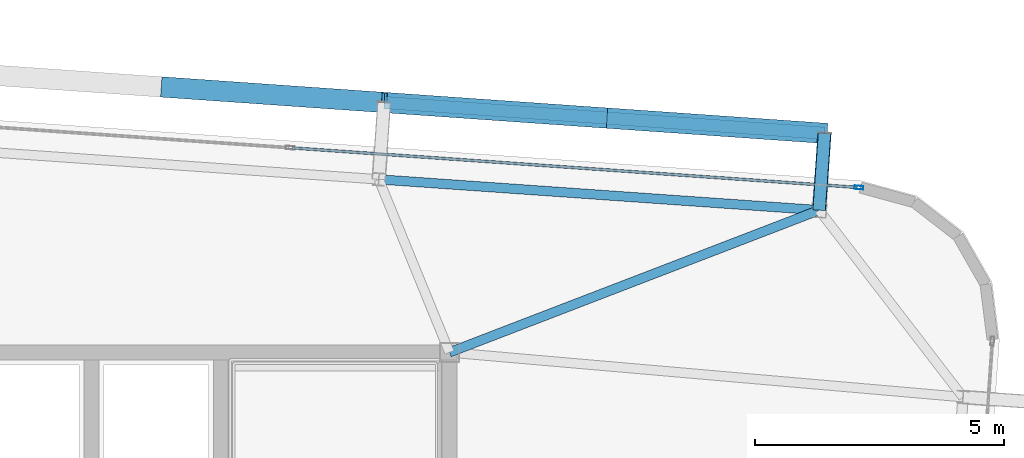
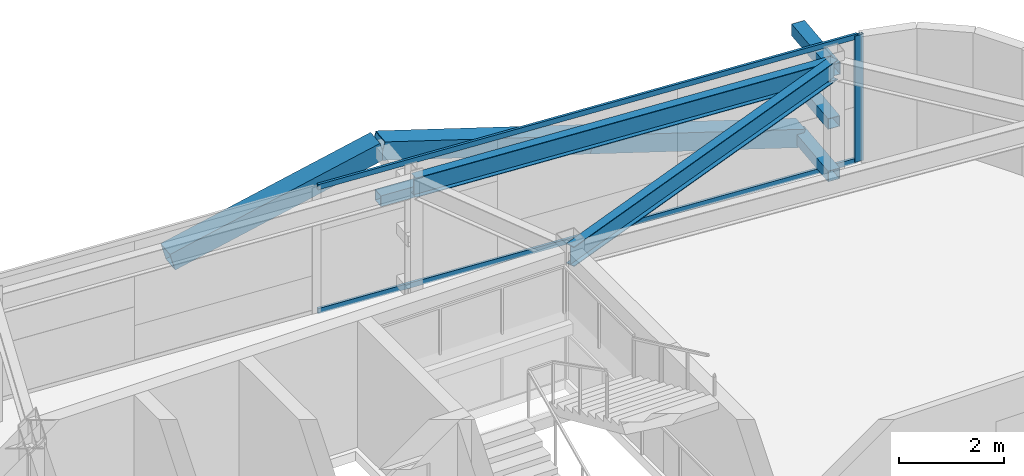
# One storey, part 24 of 39: 10 members, 2 beams, 1 element without a shape of its own.
"""IFC4 building model written with IfcOpenShell, lengths in metres."""

from ifc_helpers import new_model, si_unit, direction, frame, origin, origin_2d, place, context, subcontext, project, spatial, hollow_rectangle, i_section, extrude, source, transform, mapped, material, layer, layer_set, material_profile, profile_set, type_object, element, aggregate, save


model = new_model("IFC4")

# Units and contexts
model_context = context("Model", 3, precision=1e-05, world=origin(), true_north=direction((0.0, 1.0)))
body_context = subcontext(model_context, "Body", "Model", "MODEL_VIEW")
ifc_project = project(units=[si_unit("LENGTHUNIT", "METRE"), si_unit("AREAUNIT", "SQUARE_METRE"), si_unit("VOLUMEUNIT", "CUBIC_METRE"), si_unit("PLANEANGLEUNIT", "RADIAN"), si_unit("MASSUNIT", "GRAM", prefix="KILO")], contexts=[model_context])

# Site, building, storey
site_placement = place(None, origin())
site = spatial("IfcSite", under=ifc_project, at=site_placement, CompositionType="ELEMENT")
building_placement = place(site_placement, origin())
building = spatial("IfcBuilding", under=site, at=building_placement, Name="Taldren Reach Tower", CompositionType="ELEMENT")
storey_placement = place(building_placement, frame((0.0, 0.0, 155.050048828125)))
storey = spatial("IfcBuildingStorey", under=building, at=storey_placement, Name="L47", CompositionType="ELEMENT", Elevation=155.050048828125)

# Members
ifc_material_1 = material(Name="Steel Gr 450 (C450L0)", Category="steel")
ifc_material_profile_1 = material_profile(ifc_material_1, hollow_rectangle(XDim=0.27490234375, YDim=0.27490234375, WallThickness=0.00927734375, at=origin_2d()), Name="275x275x9.3SHS")
ifc_profile_set_1 = profile_set([ifc_material_profile_1], Name="Steel Gr 450 (C450L0)")
member_type_1 = type_object("IfcMemberType", Name="MB-TIE273", PredefinedType="STRUT", material=ifc_profile_set_1)
shared_shape_1 = source(origin(), body_context, "Body", "SweptSolid", [
    extrude(hollow_rectangle(XDim=0.27490234375, YDim=0.27490234375, WallThickness=0.00927734375, at=origin_2d()), origin(), (0.0, 0.0, 1.0), 1.5498046875),
])
member_1_placement = place(storey_placement, frame((58.4365234375, 34.861572265625, 2.64990234375), z_axis=(0.069780535098, 0.997562367434, 0.0), x_axis=(-0.997562367434, 0.069780535098, 0.0)))
element("IfcMember", 1, at=member_1_placement, inside=storey, type_object=member_type_1, Name="Exoskeleton diaphragm tie strut B3-N6 L47", PredefinedType="STRUT", context=body_context, shape_type="MappedRepresentation", body=[
    mapped(shared_shape_1, transform((0.0, 0.0, 0.0), scale=1.0)),
])
ifc_material_2 = material(Name="Steel Gr 350 (C350L0)", Category="steel")
ifc_material_profile_2 = material_profile(ifc_material_2, hollow_rectangle(XDim=0.25, YDim=0.25, WallThickness=0.010009765625, at=origin_2d()), Name="250x250x10.0SHS")
ifc_profile_set_2 = profile_set([ifc_material_profile_2], Name="Steel Gr 350 (C350L0)")
member_type_2 = type_object("IfcMemberType", Name="MB-POST250", PredefinedType="POST", material=ifc_profile_set_2)
shared_shape_2 = source(origin(), body_context, "Body", "SweptSolid", [
    extrude(hollow_rectangle(XDim=0.25, YDim=0.25, WallThickness=0.010009765625, at=origin_2d()), origin(), (0.0, 0.0, 1.0), 1.5498046875),
])
for number, where, z_axis, x_axis, name in (
    (2, (58.4365234375, 34.861572265625, 0.219970703125), (0.069780535098, 0.997562367434, 0.0), (-0.997562367434, 0.069780535098, 0.0), "Exoskeleton base diaphragm tie strut B3-N6 L47"),
    (3, (58.4365234375, 34.861572265625, 1.43505859375), (0.069780535098, 0.997562367434, 0.0), (-0.997562367434, 0.069780535098, 0.0), "Exoskeleton mid-tier diaphragm tie B3-N6 L47"),
):
    element("IfcMember", number, at=place(storey_placement, frame(where, z_axis=z_axis, x_axis=x_axis)), inside=storey, type_object=member_type_2, Name=name, PredefinedType="POST", context=body_context, shape_type="MappedRepresentation", body=[
        mapped(shared_shape_2, transform((0.0, 0.0, 0.0), scale=1.0)),
    ])

# Beams
ifc_material_3 = material(Name="Steel Gr 350 (350PLUS)", Category="steel")
ifc_material_profile_3 = material_profile(ifc_material_3, i_section(OverallWidth=0.18994140625, OverallDepth=0.4541015625, WebThickness=0.008544921875, FlangeThickness=0.0126953125, at=origin_2d()), Name="460UB67.1")
ifc_profile_set_3 = profile_set([ifc_material_profile_3], Name="Steel Gr 350 (350PLUS)")
beam_type_1 = type_object("IfcBeamType", Name="SP-UB460B", PredefinedType="SPANDREL", material=ifc_profile_set_3)
shared_shape_3 = source(origin(), body_context, "Body", "SweptSolid", [
    extrude(i_section(OverallWidth=0.18994140625, OverallDepth=0.4541015625, WebThickness=0.008544921875, FlangeThickness=0.0126953125, at=origin_2d()), origin(), (0.0, 0.0, 1.0), 8.880126953125),
])
beam_1_placement = place(storey_placement, frame((58.4365234375, 34.861572265625, 2.702880859375), z_axis=(-0.997564479639, 0.069750333063, 0.0), x_axis=(-0.069750333063, -0.997564479639, 0.0)))
element("IfcBeam", 4, at=beam_1_placement, inside=storey, type_object=beam_type_1, Name="Perimeter spandrel B3 N6-N5 L47", PredefinedType="SPANDREL", context=body_context, shape_type="MappedRepresentation", body=[
    mapped(shared_shape_3, transform((0.0, 0.0, 0.0), scale=1.0)),
])
ifc_material_profile_4 = material_profile(ifc_material_3, i_section(OverallWidth=0.19091796875, OverallDepth=0.4599609375, WebThickness=0.010009765625, FlangeThickness=0.01611328125, at=origin_2d()), Name="460UB82.1")
ifc_profile_set_4 = profile_set([ifc_material_profile_4], Name="Steel Gr 350 (350PLUS)")
beam_type_2 = type_object("IfcBeamType", Name="BM-UB460A", PredefinedType="BEAM", material=ifc_profile_set_4)
shared_shape_4 = source(origin(), body_context, "Body", "SweptSolid", [
    extrude(i_section(OverallWidth=0.19091796875, OverallDepth=0.4599609375, WebThickness=0.010009765625, FlangeThickness=0.01611328125, at=origin_2d()), origin(), (0.0, 0.0, 1.0), 7.968017578125),
])
beam_2_placement = place(storey_placement, frame((51.0, 32.0, 2.699951171875), z_axis=(0.933287947144, 0.359128956943, 0.0), x_axis=(-0.359128956943, 0.933287947144, 0.0)))
element("IfcBeam", 5, at=beam_2_placement, inside=storey, type_object=beam_type_2, Name="Primary floor girder B3-N6 L47", PredefinedType="BEAM", context=body_context, shape_type="MappedRepresentation", body=[
    mapped(shared_shape_4, transform((0.0, 0.0, 0.0), scale=1.0)),
])

# Members
shared_shape_5 = source(origin(), body_context, "Body", "SweptSolid", [
    extrude(hollow_rectangle(XDim=0.25, YDim=0.25, WallThickness=0.010009765625, at=origin_2d()), origin(), (0.0, 0.0, 1.0), 8.880126953125),
])
member_2_placement = place(storey_placement, frame((49.686279296875, 37.02734375, 1.43505859375), z_axis=(0.997562566276, -0.06977769246, 0.0), x_axis=(0.06977769246, 0.997562566276, 0.0)))
element("IfcMember", 6, at=member_2_placement, inside=storey, type_object=member_type_2, Name="Exoskeleton mid-height ring chord B3-N5 L47", PredefinedType="POST", context=body_context, shape_type="MappedRepresentation", body=[
    mapped(shared_shape_5, transform((0.0, 0.0, 0.0), scale=1.0)),
])
ifc_material_profile_5 = material_profile(ifc_material_1, hollow_rectangle(XDim=0.409912109375, YDim=0.409912109375, WallThickness=0.01611328125, at=origin_2d()), Name="410x410x16.0SHS")
ifc_profile_set_5 = profile_set([ifc_material_profile_5], Name="Steel Gr 450 (C450L0)")
member_type_3 = type_object("IfcMemberType", Name="MB-EXO406", PredefinedType="BRACE", material=ifc_profile_set_5)
shared_shape_6 = source(origin(), body_context, "Body", "SweptSolid", [
    extrude(hollow_rectangle(XDim=0.409912109375, YDim=0.409912109375, WallThickness=0.01611328125, at=origin_2d()), origin(), (0.0, 0.0, 1.0), 4.603271484375),
])
for number, where, z_axis, x_axis, name in (
    (7, (45.257080078125, 37.3369140625, 1.43505859375), (0.962199253371, -0.067251055742, 0.263912660389), (0.069722973508, 0.997566392259, 0.0), "Exoskeleton Diagrid Brace B3-N4 L47"),
    (8, (58.544677734375, 36.40771484375, 0.219970703125), (-0.962182351074, 0.067302910567, 0.263961060594), (-0.06977769246, -0.997562566276, 0.0), "Exoskeleton Diagrid Brace B3-N5 L47"),
    (9, (54.115478515625, 36.717529296875, 1.43505859375), (-0.962195820062, 0.067303852699, 0.263911718699), (-0.06977769246, -0.997562566276, 0.0), "Exoskeleton Diagrid Brace B3-N5 L47"),
):
    element("IfcMember", number, at=place(storey_placement, frame(where, z_axis=z_axis, x_axis=x_axis)), inside=storey, type_object=member_type_3, Name=name, PredefinedType="BRACE", context=body_context, shape_type="MappedRepresentation", body=[
        mapped(shared_shape_6, transform((0.0, 0.0, 0.0), scale=1.0)),
    ])

# Curtain wall, members
ifc_material_4 = material(Name="Aluminium and Low-E Glass Unitised System", Category="aluminium")
ifc_layer = layer(ifc_material_4, 0.159912109375)
ifc_layer_set = layer_set([ifc_layer], Name="Aluminium and Low-E Glass Unitised System")
curtain_wall_type = type_object("IfcCurtainWallType", Name="CW-SYS-4", PredefinedType="NOTDEFINED", material=ifc_layer_set)
curtain_wall_placement = place(storey_placement, origin())
curtain_wall = element("IfcCurtainWall", 10, at=curtain_wall_placement, inside=storey, type_object=curtain_wall_type, Name="Unitised curtain wall CW-L47-N", PredefinedType="NOTDEFINED")
ifc_material_5 = material(Name="Anodised Aluminium 6063-T6", Category="aluminium")
ifc_material_profile_6 = material_profile(ifc_material_5, hollow_rectangle(XDim=0.054931640625, YDim=0.1201171875, WallThickness=0.0029296875, at=origin_2d()), Name="ALU-120x55x3RHS")
ifc_profile_set_6 = profile_set([ifc_material_profile_6], Name="Anodised Aluminium 6063-T6")
member_type_4 = type_object("IfcMemberType", Name="CW-TRN-135", PredefinedType="USERDEFINED", material=ifc_profile_set_6)
shared_shape_7 = source(origin(), body_context, "Body", "SweptSolid", [
    extrude(hollow_rectangle(XDim=0.054931640625, YDim=0.1201171875, WallThickness=0.0029296875, at=origin_2d()), origin(), (0.0, 0.0, 1.0), 11.39501953125),
])
member_3_placement = place(storey_placement, frame((59.2001953125, 35.3193359375, 0.02734375), z_axis=(-0.997563740682, 0.069760900766, 0.0), x_axis=(-0.069760900766, -0.997563740682, 0.0)))
member_3 = element("IfcMember", 11, at=member_3_placement, type_object=member_type_4, Name="CW-4 transom 1.1", ObjectType="TRANSOM", PredefinedType="USERDEFINED", context=body_context, shape_type="MappedRepresentation", body=[
    mapped(shared_shape_7, transform((0.0, 0.0, 0.0), scale=1.0)),
])
member_4_placement = place(storey_placement, frame((59.2001953125, 35.3193359375, 2.90234375), z_axis=(-0.997563740682, 0.069760900766, 0.0), x_axis=(-0.069760900766, -0.997563740682, 0.0)))
member_4 = element("IfcMember", 12, at=member_4_placement, type_object=member_type_4, Name="CW-4 transom 1.2", ObjectType="TRANSOM", PredefinedType="USERDEFINED", context=body_context, shape_type="MappedRepresentation", body=[
    mapped(shared_shape_7, transform((0.0, 0.0, 0.0), scale=1.0)),
])
ifc_material_profile_7 = material_profile(ifc_material_5, hollow_rectangle(XDim=0.070068359375, YDim=0.179931640625, WallThickness=0.00390625, at=origin_2d()), Name="ALU-180x70x4RHS")
ifc_profile_set_7 = profile_set([ifc_material_profile_7], Name="Anodised Aluminium 6063-T6")
member_type_5 = type_object("IfcMemberType", Name="CW-MUL-180", PredefinedType="MULLION", material=ifc_profile_set_7)
shared_shape_8 = source(origin(), body_context, "Body", "SweptSolid", [
    extrude(hollow_rectangle(XDim=0.070068359375, YDim=0.179931640625, WallThickness=0.00390625, at=origin_2d()), origin(), (0.0, 0.0, 1.0), 2.929931640625),
])
member_5_placement = place(storey_placement, frame((59.235107421875, 35.31689453125, 0.0), z_axis=(0.0, 0.0, 1.0), x_axis=(-0.06975651593, -0.99756404731, 0.0)))
member_5 = element("IfcMember", 13, at=member_5_placement, type_object=member_type_5, Name="CW-4 mullion 1", PredefinedType="MULLION", context=body_context, shape_type="MappedRepresentation", body=[
    mapped(shared_shape_8, transform((0.0, 0.0, 0.0), scale=1.0)),
])
aggregate(curtain_wall, [member_5, member_3, member_4])

save(model, "model.ifc")
